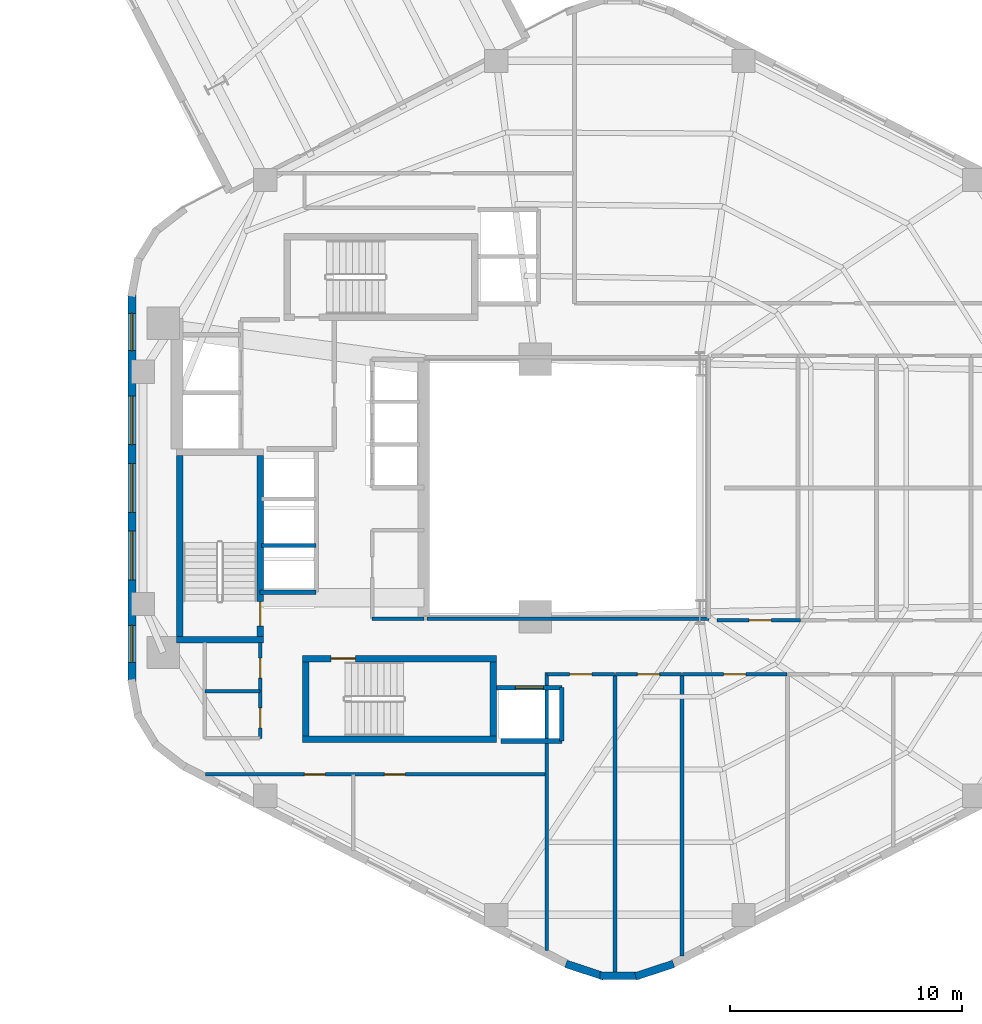
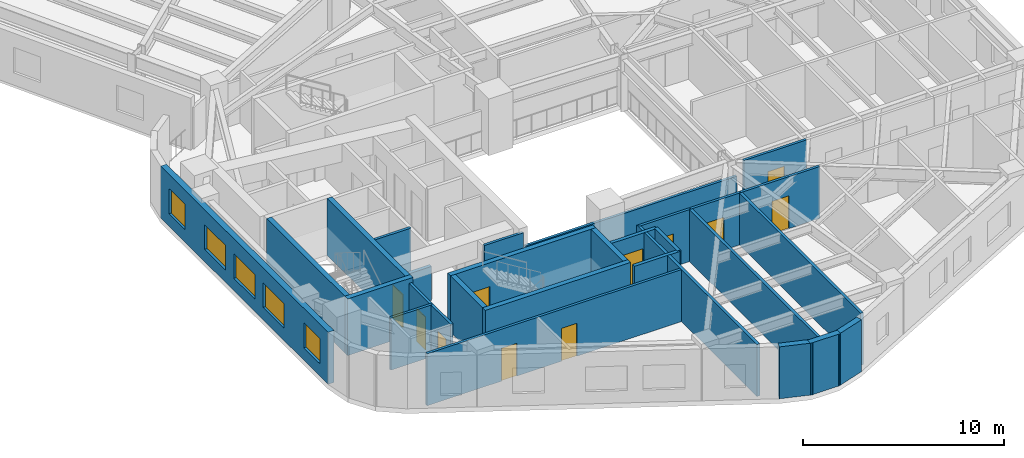
# One storey, part 6 of 11: 28 walls, 11 doors, 5 windows, 16 openings.
"""IFC4 building model written with IfcOpenShell, lengths in metres."""

from ifc_helpers import new_model, si_unit, direction, frame, frame_2d, origin, place, context, subcontext, project, spatial, rectangle, extrude, material, layer, layer_set, type_object, element, fill, save


model = new_model("IFC4")

# Units and contexts
model_context = context("Model", 3, precision=1e-05, world=origin(), true_north=direction((0.0, 1.0)))
body_context = subcontext(model_context, "Body", "Model", "MODEL_VIEW")
ifc_project = project(units=[si_unit("LENGTHUNIT", "METRE"), si_unit("AREAUNIT", "SQUARE_METRE"), si_unit("VOLUMEUNIT", "CUBIC_METRE"), si_unit("PLANEANGLEUNIT", "RADIAN"), si_unit("MASSUNIT", "GRAM", prefix="KILO"), si_unit("THERMODYNAMICTEMPERATUREUNIT", "KELVIN"), si_unit("POWERUNIT", "WATT")], contexts=[model_context])

# Site, building, storey
site_placement = place(None, origin())
site = spatial("IfcSite", under=ifc_project, at=site_placement, CompositionType="ELEMENT")
building_placement = place(site_placement, origin())
building = spatial("IfcBuilding", under=site, at=building_placement, Name="Skarre Station Tower", CompositionType="ELEMENT")
storey_placement = place(building_placement, frame((0.0, 0.0, 139.5)))
storey = spatial("IfcBuildingStorey", under=building, at=storey_placement, Name="L37", CompositionType="ELEMENT", Elevation=139.5)

# Walls
ifc_material_1 = material(Name="Acoustic Steel-Stud Gypsum Partition", Category="steel")
ifc_layer_1 = layer(ifc_material_1, 0.14990234375, Name="Acoustic Steel-Stud Gypsum Partition")
ifc_layer_set_1 = layer_set([ifc_layer_1], Name="Acoustic Steel-Stud Gypsum Partition")
wall_type_1 = type_object("IfcWallType", Name="Fire-Rated Corridor Acoustic Partition 150", PredefinedType="PARTITIONING", material=ifc_layer_set_1)
wall_1_placement = place(storey_placement, frame((25.320068359375, 18.360107421875, 0.0), z_axis=(0.0, 0.0, 1.0), x_axis=(1.0, 0.0, 0.0)))
element("IfcWall", 1, at=wall_1_placement, inside=storey, type_object=wall_type_1, Name="L37 Interior Partition WL-PT-L37-RC1-S", PredefinedType="PARTITIONING", context=body_context, shape_type="SweptSolid", body=[
    extrude(rectangle(XDim=2.22998046875, YDim=0.14990234375, at=frame_2d((1.114990234375, 0.0))), origin(), (0.0, 0.0, 1.0), 3.159912109375),
])
wall_2_placement = place(storey_placement, frame((18.10009765625, 15.219970703125, 0.0), z_axis=(0.0, 0.0, 1.0), x_axis=(1.0, 0.0, 0.0)))
element("IfcWall", 2, at=wall_2_placement, inside=storey, type_object=wall_type_1, Name="L37 Interior Partition WL-PT-L37-CSVC-M", PredefinedType="PARTITIONING", context=body_context, shape_type="SweptSolid", body=[
    extrude(rectangle(XDim=2.389892578125, YDim=0.14990234375, at=frame_2d((1.19482421875, 0.0))), origin(), (0.0, 0.0, 1.0), 3.159912109375),
])

# Wall, openings, doors
wall_3_placement = place(storey_placement, frame((20.489990234375, 13.199951171875, 0.0), z_axis=(0.0, 0.0, 1.0), x_axis=(0.0, 1.0, 0.0)))
wall_3 = element("IfcWall", 3, at=wall_3_placement, inside=storey, type_object=wall_type_1, Name="L37 Interior Partition WL-PT-L37-CSVC-E", PredefinedType="PARTITIONING", context=body_context, shape_type="SweptSolid", body=[
    extrude(rectangle(XDim=4.14013671875, YDim=0.14990234375, at=frame_2d((2.070068359375, 0.0))), origin(), (0.0, 0.0, 1.0), 3.159912109375),
])
opening_1_placement = place(wall_3_placement, frame((0.449951171875, 0.0, 0.0)))
opening_1 = element("IfcOpeningElement", 4, at=opening_1_placement, cuts=wall_3, Name="Opening DR-SVC86", PredefinedType="OPENING", context=body_context, shape_type="SweptSolid", body=[
    extrude(rectangle(XDim=0.860107421875, YDim=2.0, at=frame_2d((0.43017578125, 1.0))), frame((0.0, 0.0849609375, 0.0), z_axis=(0.0, -1.0, 0.0), x_axis=(1.0, 0.0, 0.0)), (0.0, 0.0, 1.0), 0.169921875),
])
opening_2_placement = place(wall_3_placement, frame((2.60009765625, 0.0, 0.0)))
opening_2 = element("IfcOpeningElement", 5, at=opening_2_placement, cuts=wall_3, Name="Opening DR-SVC86", PredefinedType="OPENING", context=body_context, shape_type="SweptSolid", body=[
    extrude(rectangle(XDim=0.860107421875, YDim=2.0, at=frame_2d((0.43017578125, 1.0))), frame((0.0, 0.0849609375, 0.0), z_axis=(0.0, -1.0, 0.0), x_axis=(1.0, 0.0, 0.0)), (0.0, 0.0, 1.0), 0.169921875),
])
ifc_material_2 = material(Name="Powder-Coated Hollow-Metal Acoustic Fire Leaf", Category="steel")
door_type_1 = type_object("IfcDoorType", Name="Compact Riser Fire Door FD60 860x2100", OperationType="SINGLE_SWING_LEFT", PredefinedType="DOOR", material=ifc_material_2)
door_1_placement = place(opening_1_placement, origin())
door_1 = element("IfcDoor", 6, at=door_1_placement, inside=storey, type_object=door_type_1, Name="L37 Vending Room Door", OperationType="SINGLE_SWING_LEFT", OverallHeight=2.0, OverallWidth=0.860107421875, PredefinedType="DOOR", context=body_context, shape_type="SweptSolid", body=[
    extrude(rectangle(XDim=0.860107421875, YDim=2.0, at=frame_2d((0.43017578125, 1.0))), frame((0.0, 0.02490234375, 0.0), z_axis=(0.0, -1.0, 0.0), x_axis=(1.0, 0.0, 0.0)), (0.0, 0.0, 1.0), 0.050048828125),
])
fill(opening_1, door_1)
door_2_placement = place(opening_2_placement, origin())
door_2 = element("IfcDoor", 7, at=door_2_placement, inside=storey, type_object=door_type_1, Name="L37 Linen Storage Door", OperationType="SINGLE_SWING_LEFT", OverallHeight=2.0, OverallWidth=0.860107421875, PredefinedType="DOOR", context=body_context, shape_type="SweptSolid", body=[
    extrude(rectangle(XDim=0.860107421875, YDim=2.0, at=frame_2d((0.43017578125, 1.0))), frame((0.0, 0.02490234375, 0.0), z_axis=(0.0, -1.0, 0.0), x_axis=(1.0, 0.0, 0.0)), (0.0, 0.0, 1.0), 0.050048828125),
])
fill(opening_2, door_2)

# Wall
wall_4_placement = place(storey_placement, frame((27.675048828125, 18.360107421875, 0.0), z_axis=(0.0, 0.0, 1.0), x_axis=(1.0, 0.0, 0.0)))
element("IfcWall", 8, at=wall_4_placement, inside=storey, type_object=wall_type_1, Name="L37 Interior Partition WL-PT-L37-ATRW-S", PredefinedType="PARTITIONING", context=body_context, shape_type="SweptSolid", body=[
    extrude(rectangle(XDim=12.1650390625, YDim=0.14990234375, at=frame_2d((6.08251953125, 0.0))), origin(), (0.0, 0.0, 1.0), 2.301025390625),
])

# Wall, openings, doors
wall_5_placement = place(storey_placement, frame((18.1259765625, 11.639892578125, 0.0), z_axis=(0.0, 0.0, 1.0), x_axis=(1.0, 0.0, 0.0)))
wall_5 = element("IfcWall", 9, at=wall_5_placement, inside=storey, type_object=wall_type_1, Name="L37 Interior Partition WL-PT-L37-SWP-N", PredefinedType="PARTITIONING", context=body_context, shape_type="SweptSolid", body=[
    extrude(rectangle(XDim=14.72412109375, YDim=0.14990234375, at=frame_2d((7.362060546875, 0.0))), origin(), (0.0, 0.0, 1.0), 3.159912109375),
])
opening_3_placement = place(wall_5_placement, frame((4.27392578125, 0.0, 0.0)))
opening_3 = element("IfcOpeningElement", 10, at=opening_3_placement, cuts=wall_5, Name="Opening DR-SVC90", PredefinedType="OPENING", context=body_context, shape_type="SweptSolid", body=[
    extrude(rectangle(XDim=0.89990234375, YDim=2.0, at=frame_2d((0.449951171875, 1.0))), frame((0.0, 0.0849609375, 0.0), z_axis=(0.0, -1.0, 0.0), x_axis=(1.0, 0.0, 0.0)), (0.0, 0.0, 1.0), 0.169921875),
])
opening_4_placement = place(wall_5_placement, frame((7.72412109375, 0.0, 0.0)))
opening_4 = element("IfcOpeningElement", 11, at=opening_4_placement, cuts=wall_5, Name="Opening DR-SVC90", PredefinedType="OPENING", context=body_context, shape_type="SweptSolid", body=[
    extrude(rectangle(XDim=0.89990234375, YDim=2.0, at=frame_2d((0.449951171875, 1.0))), frame((0.0, 0.0849609375, 0.0), z_axis=(0.0, -1.0, 0.0), x_axis=(1.0, 0.0, 0.0)), (0.0, 0.0, 1.0), 0.169921875),
])
door_type_2 = type_object("IfcDoorType", Name="Service & Riser Fire Door FD60 900x2100", OperationType="SINGLE_SWING_LEFT", PredefinedType="DOOR", material=ifc_material_2)
door_3_placement = place(opening_3_placement, origin())
door_3 = element("IfcDoor", 12, at=door_3_placement, inside=storey, type_object=door_type_2, Name="L37 Floor Public Toilets Door", OperationType="SINGLE_SWING_LEFT", OverallHeight=2.0, OverallWidth=0.89990234375, PredefinedType="DOOR", context=body_context, shape_type="SweptSolid", body=[
    extrude(rectangle(XDim=0.89990234375, YDim=2.0, at=frame_2d((0.449951171875, 1.0))), frame((0.0, 0.02490234375, 0.0), z_axis=(0.0, -1.0, 0.0), x_axis=(1.0, 0.0, 0.0)), (0.0, 0.0, 1.0), 0.050048828125),
])
fill(opening_3, door_3)
door_4_placement = place(opening_4_placement, origin())
door_4 = element("IfcDoor", 13, at=door_4_placement, inside=storey, type_object=door_type_2, Name="L37 Housekeeping Room Door", OperationType="SINGLE_SWING_LEFT", OverallHeight=2.0, OverallWidth=0.89990234375, PredefinedType="DOOR", context=body_context, shape_type="SweptSolid", body=[
    extrude(rectangle(XDim=0.89990234375, YDim=2.0, at=frame_2d((0.449951171875, 1.0))), frame((0.0, 0.02490234375, 0.0), z_axis=(0.0, -1.0, 0.0), x_axis=(1.0, 0.0, 0.0)), (0.0, 0.0, 1.0), 0.050048828125),
])
fill(opening_4, door_4)

# Wall, opening, door
wall_6_placement = place(storey_placement, frame((43.802978515625, 18.2900390625, 0.0), z_axis=(0.0, 0.0, 1.0), x_axis=(-1.0, 0.0, 0.0)))
wall_6 = element("IfcWall", 14, at=wall_6_placement, inside=storey, type_object=wall_type_1, Name="L37 Interior Partition WL-PT-L37-EWS1-CW", PredefinedType="PARTITIONING", context=body_context, shape_type="SweptSolid", body=[
    extrude(rectangle(XDim=3.60302734375, YDim=0.14990234375, at=frame_2d((1.801513671875, 0.0))), origin(), (0.0, 0.0, 1.0), 3.159912109375),
])
opening_5_placement = place(wall_6_placement, frame((1.263916015625, 0.0, 0.0)))
opening_5 = element("IfcOpeningElement", 15, at=opening_5_placement, cuts=wall_6, Name="Opening DR-FD60", PredefinedType="OPENING", context=body_context, shape_type="SweptSolid", body=[
    extrude(rectangle(XDim=0.9599609375, YDim=2.0, at=frame_2d((0.47998046875, 1.0))), frame((0.0, 0.0849609375, 0.0), z_axis=(0.0, -1.0, 0.0), x_axis=(1.0, 0.0, 0.0)), (0.0, 0.0, 1.0), 0.169921875),
])
ifc_material_3 = material(Name="Nordic White-Oak Veneer Solid-Core Fire Leaf", Category="wood")
door_type_3 = type_object("IfcDoorType", Name="Corridor Suite Entry Fire Door FD60 960x2150", OperationType="SINGLE_SWING_LEFT", PredefinedType="DOOR", material=ifc_material_3)
door_5_placement = place(opening_5_placement, origin())
door_5 = element("IfcDoor", 16, at=door_5_placement, inside=storey, type_object=door_type_3, Name="L37 EWS1 Entry Door", OperationType="SINGLE_SWING_LEFT", OverallHeight=2.0, OverallWidth=0.9599609375, PredefinedType="DOOR", context=body_context, shape_type="SweptSolid", body=[
    extrude(rectangle(XDim=0.9599609375, YDim=2.0, at=frame_2d((0.47998046875, 1.0))), frame((0.0, 0.02490234375, 0.0), z_axis=(0.0, -1.0, 0.0), x_axis=(1.0, 0.0, 0.0)), (0.0, 0.0, 1.0), 0.050048828125),
])
fill(opening_5, door_5)

wall_7_placement = place(storey_placement, frame((32.85009765625, 15.9599609375, 0.0), z_axis=(0.0, 0.0, 1.0), x_axis=(1.0, 0.0, 0.0)))
wall_7 = element("IfcWall", 17, at=wall_7_placement, inside=storey, type_object=wall_type_1, Name="L37 Interior Partition WL-PT-L37-SW1-CW", PredefinedType="PARTITIONING", context=body_context, shape_type="SweptSolid", body=[
    extrude(rectangle(XDim=2.931884765625, YDim=0.14990234375, at=frame_2d((1.4658203125, 0.0))), origin(), (0.0, 0.0, 1.0), 3.159912109375),
])
opening_6_placement = place(wall_7_placement, frame((0.986083984375, 0.0, 0.0)))
opening_6 = element("IfcOpeningElement", 18, at=opening_6_placement, cuts=wall_7, Name="Opening DR-FD60", PredefinedType="OPENING", context=body_context, shape_type="SweptSolid", body=[
    extrude(rectangle(XDim=0.9599609375, YDim=2.0, at=frame_2d((0.47998046875, 1.0))), frame((0.0, 0.0849609375, 0.0), z_axis=(0.0, -1.0, 0.0), x_axis=(1.0, 0.0, 0.0)), (0.0, 0.0, 1.0), 0.169921875),
])
door_6_placement = place(opening_6_placement, origin())
door_6 = element("IfcDoor", 19, at=door_6_placement, inside=storey, type_object=door_type_3, Name="L37 SW1 Entry Door", OperationType="SINGLE_SWING_LEFT", OverallHeight=2.0, OverallWidth=0.9599609375, PredefinedType="DOOR", context=body_context, shape_type="SweptSolid", body=[
    extrude(rectangle(XDim=0.9599609375, YDim=2.0, at=frame_2d((0.47998046875, 1.0))), frame((0.0, 0.02490234375, 0.0), z_axis=(0.0, -1.0, 0.0), x_axis=(1.0, 0.0, 0.0)), (0.0, 0.0, 1.0), 0.050048828125),
])
fill(opening_6, door_6)

wall_8_placement = place(storey_placement, frame((35.818115234375, 15.9599609375, 0.0), z_axis=(0.0, 0.0, 1.0), x_axis=(1.0, 0.0, 0.0)))
wall_8 = element("IfcWall", 20, at=wall_8_placement, inside=storey, type_object=wall_type_1, Name="L37 Interior Partition WL-PT-L37-SW2-CW", PredefinedType="PARTITIONING", context=body_context, shape_type="SweptSolid", body=[
    extrude(rectangle(XDim=2.843994140625, YDim=0.14990234375, at=frame_2d((1.421875, 0.0))), origin(), (0.0, 0.0, 1.0), 3.159912109375),
])
opening_7_placement = place(wall_8_placement, frame((0.94189453125, 0.0, 0.0)))
opening_7 = element("IfcOpeningElement", 21, at=opening_7_placement, cuts=wall_8, Name="Opening DR-FD60", PredefinedType="OPENING", context=body_context, shape_type="SweptSolid", body=[
    extrude(rectangle(XDim=0.9599609375, YDim=2.0, at=frame_2d((0.47998046875, 1.0))), frame((0.0, 0.0849609375, 0.0), z_axis=(0.0, -1.0, 0.0), x_axis=(1.0, 0.0, 0.0)), (0.0, 0.0, 1.0), 0.169921875),
])
door_7_placement = place(opening_7_placement, origin())
door_7 = element("IfcDoor", 22, at=door_7_placement, inside=storey, type_object=door_type_3, Name="L37 SW2 Entry Door", OperationType="SINGLE_SWING_LEFT", OverallHeight=2.0, OverallWidth=0.9599609375, PredefinedType="DOOR", context=body_context, shape_type="SweptSolid", body=[
    extrude(rectangle(XDim=0.9599609375, YDim=2.0, at=frame_2d((0.47998046875, 1.0))), frame((0.0, 0.02490234375, 0.0), z_axis=(0.0, -1.0, 0.0), x_axis=(1.0, 0.0, 0.0)), (0.0, 0.0, 1.0), 0.050048828125),
])
fill(opening_7, door_7)

wall_9_placement = place(storey_placement, frame((38.697998046875, 15.9599609375, 0.0), z_axis=(0.0, 0.0, 1.0), x_axis=(1.0, 0.0, 0.0)))
wall_9 = element("IfcWall", 23, at=wall_9_placement, inside=storey, type_object=wall_type_1, Name="L37 Interior Partition WL-PT-L37-SW3-CW", PredefinedType="PARTITIONING", context=body_context, shape_type="SweptSolid", body=[
    extrude(rectangle(XDim=4.52294921875, YDim=0.14990234375, at=frame_2d((2.261474609375, 0.0))), origin(), (0.0, 0.0, 1.0), 3.159912109375),
])
opening_8_placement = place(wall_9_placement, frame((1.781982421875, 0.0, 0.0)))
opening_8 = element("IfcOpeningElement", 24, at=opening_8_placement, cuts=wall_9, Name="Opening DR-FD60", PredefinedType="OPENING", context=body_context, shape_type="SweptSolid", body=[
    extrude(rectangle(XDim=0.9599609375, YDim=2.0, at=frame_2d((0.47998046875, 1.0))), frame((0.0, 0.0849609375, 0.0), z_axis=(0.0, -1.0, 0.0), x_axis=(1.0, 0.0, 0.0)), (0.0, 0.0, 1.0), 0.169921875),
])
door_8_placement = place(opening_8_placement, origin())
door_8 = element("IfcDoor", 25, at=door_8_placement, inside=storey, type_object=door_type_3, Name="L37 SW3 Entry Door", OperationType="SINGLE_SWING_LEFT", OverallHeight=2.0, OverallWidth=0.9599609375, PredefinedType="DOOR", context=body_context, shape_type="SweptSolid", body=[
    extrude(rectangle(XDim=0.9599609375, YDim=2.0, at=frame_2d((0.47998046875, 1.0))), frame((0.0, 0.02490234375, 0.0), z_axis=(0.0, -1.0, 0.0), x_axis=(1.0, 0.0, 0.0)), (0.0, 0.0, 1.0), 0.050048828125),
])
fill(opening_8, door_8)

# Wall, openings, windows
ifc_material_4 = material(Name="Precast concrete C45/55", Category="concrete")
ifc_layer_2 = layer(ifc_material_4, 0.340087890625, Name="Precast concrete C45/55")
ifc_layer_set_2 = layer_set([ifc_layer_2], Name="Precast concrete C45/55")
wall_type_2 = type_object("IfcWallType", Name="Nordic Honed Precast Facet Wall 340", PredefinedType="STANDARD", material=ifc_layer_set_2)
wall_10_placement = place(storey_placement, frame((14.951904296875, 15.64794921875, 0.0), z_axis=(0.0, 0.0, 1.0), x_axis=(0.0, 1.0, 0.0)))
wall_10 = element("IfcWall", 26, at=wall_10_placement, inside=storey, type_object=wall_type_2, Name="L37 Facet 2 Nordic Precast Masonry Wall", PredefinedType="STANDARD", context=body_context, shape_type="SweptSolid", body=[
    extrude(rectangle(XDim=16.7041015625, YDim=0.340087890625, at=frame_2d((8.35205078125, 0.0))), origin(), (0.0, 0.0, 1.0), 3.159912109375),
])
opening_9_placement = place(wall_10_placement, frame((0.825927734375, 0.0, 0.75)))
opening_9 = element("IfcOpeningElement", 27, at=opening_9_placement, cuts=wall_10, Name="Opening WN-Z2A", PredefinedType="OPENING", context=body_context, shape_type="SweptSolid", body=[
    extrude(rectangle(XDim=1.60009765625, YDim=1.550048828125, at=frame_2d((0.800048828125, 0.77490234375))), frame((0.0, 0.179931640625, 0.0), z_axis=(0.0, -1.0, 0.0), x_axis=(1.0, 0.0, 0.0)), (0.0, 0.0, 1.0), 0.360107421875),
])
opening_10_placement = place(wall_10_placement, frame((4.387939453125, 0.0, 0.75)))
opening_10 = element("IfcOpeningElement", 28, at=opening_10_placement, cuts=wall_10, Name="Opening WN-Z2B", PredefinedType="OPENING", context=body_context, shape_type="SweptSolid", body=[
    extrude(rectangle(XDim=2.10009765625, YDim=1.5, at=frame_2d((1.050048828125, 0.75))), frame((0.0, 0.179931640625, 0.0), z_axis=(0.0, -1.0, 0.0), x_axis=(1.0, 0.0, 0.0)), (0.0, 0.0, 1.0), 0.360107421875),
])
opening_11_placement = place(wall_10_placement, frame((7.302001953125, 0.0, 0.75)))
opening_11 = element("IfcOpeningElement", 29, at=opening_11_placement, cuts=wall_10, Name="Opening WN-Z2B", PredefinedType="OPENING", context=body_context, shape_type="SweptSolid", body=[
    extrude(rectangle(XDim=2.10009765625, YDim=1.5, at=frame_2d((1.050048828125, 0.75))), frame((0.0, 0.179931640625, 0.0), z_axis=(0.0, -1.0, 0.0), x_axis=(1.0, 0.0, 0.0)), (0.0, 0.0, 1.0), 0.360107421875),
])
opening_12_placement = place(wall_10_placement, frame((10.216064453125, 0.0, 0.75)))
opening_12 = element("IfcOpeningElement", 30, at=opening_12_placement, cuts=wall_10, Name="Opening WN-Z2B", PredefinedType="OPENING", context=body_context, shape_type="SweptSolid", body=[
    extrude(rectangle(XDim=2.10009765625, YDim=1.5, at=frame_2d((1.050048828125, 0.75))), frame((0.0, 0.179931640625, 0.0), z_axis=(0.0, -1.0, 0.0), x_axis=(1.0, 0.0, 0.0)), (0.0, 0.0, 1.0), 0.360107421875),
])
opening_13_placement = place(wall_10_placement, frame((14.278076171875, 0.0, 0.75)))
opening_13 = element("IfcOpeningElement", 31, at=opening_13_placement, cuts=wall_10, Name="Opening WN-Z2A", PredefinedType="OPENING", context=body_context, shape_type="SweptSolid", body=[
    extrude(rectangle(XDim=1.60009765625, YDim=1.550048828125, at=frame_2d((0.800048828125, 0.77490234375))), frame((0.0, 0.179931640625, 0.0), z_axis=(0.0, -1.0, 0.0), x_axis=(1.0, 0.0, 0.0)), (0.0, 0.0, 1.0), 0.360107421875),
])
ifc_material_5 = material(Name="Low-Iron Triple Glazing with Bronze Anodized Frame", Category="glass")
window_type_1 = type_object("IfcWindowType", Name="Nordic Residential Tall Window 1600x1550", PartitioningType="SINGLE_PANEL", PredefinedType="WINDOW", material=ifc_material_5)
window_1_placement = place(opening_9_placement, origin())
window_1 = element("IfcWindow", 32, at=window_1_placement, inside=storey, type_object=window_type_1, Name="L37 Facade Window WL-FAC-L37-F2-1", OverallHeight=1.550048828125, OverallWidth=1.60009765625, PartitioningType="SINGLE_PANEL", PredefinedType="WINDOW", context=body_context, shape_type="SweptSolid", body=[
    extrude(rectangle(XDim=1.60009765625, YDim=1.550048828125, at=frame_2d((0.800048828125, 0.77490234375))), frame((0.0, 0.030029296875, 0.0), z_axis=(0.0, -1.0, 0.0), x_axis=(1.0, 0.0, 0.0)), (0.0, 0.0, 1.0), 0.06005859375),
])
fill(opening_9, window_1)
window_2_placement = place(opening_13_placement, origin())
window_2 = element("IfcWindow", 33, at=window_2_placement, inside=storey, type_object=window_type_1, Name="L37 Facade Window WL-FAC-L37-F2-5", OverallHeight=1.550048828125, OverallWidth=1.60009765625, PartitioningType="SINGLE_PANEL", PredefinedType="WINDOW", context=body_context, shape_type="SweptSolid", body=[
    extrude(rectangle(XDim=1.60009765625, YDim=1.550048828125, at=frame_2d((0.800048828125, 0.77490234375))), frame((0.0, 0.030029296875, 0.0), z_axis=(0.0, -1.0, 0.0), x_axis=(1.0, 0.0, 0.0)), (0.0, 0.0, 1.0), 0.06005859375),
])
fill(opening_13, window_2)
window_type_2 = type_object("IfcWindowType", Name="Nordic Residential Twin Window 2100x1500", PartitioningType="SINGLE_PANEL", PredefinedType="WINDOW", material=ifc_material_5)
window_3_placement = place(opening_10_placement, origin())
window_3 = element("IfcWindow", 34, at=window_3_placement, inside=storey, type_object=window_type_2, Name="L37 Facade Window WL-FAC-L37-F2-2", OverallHeight=1.5, OverallWidth=2.10009765625, PartitioningType="SINGLE_PANEL", PredefinedType="WINDOW", context=body_context, shape_type="SweptSolid", body=[
    extrude(rectangle(XDim=2.10009765625, YDim=1.5, at=frame_2d((1.050048828125, 0.75))), frame((0.0, 0.030029296875, 0.0), z_axis=(0.0, -1.0, 0.0), x_axis=(1.0, 0.0, 0.0)), (0.0, 0.0, 1.0), 0.06005859375),
])
fill(opening_10, window_3)
window_4_placement = place(opening_11_placement, origin())
window_4 = element("IfcWindow", 35, at=window_4_placement, inside=storey, type_object=window_type_2, Name="L37 Facade Window WL-FAC-L37-F2-3", OverallHeight=1.5, OverallWidth=2.10009765625, PartitioningType="SINGLE_PANEL", PredefinedType="WINDOW", context=body_context, shape_type="SweptSolid", body=[
    extrude(rectangle(XDim=2.10009765625, YDim=1.5, at=frame_2d((1.050048828125, 0.75))), frame((0.0, 0.030029296875, 0.0), z_axis=(0.0, -1.0, 0.0), x_axis=(1.0, 0.0, 0.0)), (0.0, 0.0, 1.0), 0.06005859375),
])
fill(opening_11, window_4)
window_5_placement = place(opening_12_placement, origin())
window_5 = element("IfcWindow", 36, at=window_5_placement, inside=storey, type_object=window_type_2, Name="L37 Facade Window WL-FAC-L37-F2-4", OverallHeight=1.5, OverallWidth=2.10009765625, PartitioningType="SINGLE_PANEL", PredefinedType="WINDOW", context=body_context, shape_type="SweptSolid", body=[
    extrude(rectangle(XDim=2.10009765625, YDim=1.5, at=frame_2d((1.050048828125, 0.75))), frame((0.0, 0.030029296875, 0.0), z_axis=(0.0, -1.0, 0.0), x_axis=(1.0, 0.0, 0.0)), (0.0, 0.0, 1.0), 0.06005859375),
])
fill(opening_12, window_5)

# Walls
ifc_layer_3 = layer(ifc_material_4, 0.330078125, Name="Precast concrete C45/55")
ifc_layer_set_3 = layer_set([ifc_layer_3], Name="Precast concrete C45/55")
wall_type_3 = type_object("IfcWallType", Name="Nordic Rounded Corner Precast Wall 330", PredefinedType="STANDARD", material=ifc_layer_set_3)
for number, where, z_axis, x_axis, name in (
    (37, (38.319091796875, 3.468017578125, 0.0), (0.0, 0.0, 1.0), (-0.949937416267, -0.312440242569, 0.0), "L37 Rounded Corner Precast Wall F4-1"),
    (38, (36.861083984375, 2.958984375, 0.0), (0.0, 0.0, 1.0), (-1.0, 0.0, 0.0), "L37 Rounded Corner Precast Wall F4-2"),
    (39, (35.31689453125, 2.929931640625, 0.0), (0.0, 0.0, 1.0), (-0.949937416267, 0.312440242569, 0.0), "L37 Rounded Corner Precast Wall F4-3"),
):
    element("IfcWall", number, at=place(storey_placement, frame(where, z_axis=z_axis, x_axis=x_axis)), inside=storey, type_object=wall_type_3, Name=name, PredefinedType="STANDARD", context=body_context, shape_type="SweptSolid", body=[
        extrude(rectangle(XDim=1.72216796875, YDim=0.330078125, at=frame_2d((0.861083984375, 0.0))), origin(), (0.0, 0.0, 1.0), 3.159912109375),
    ])
ifc_material_6 = material(Name="Concrete C50/60", Category="concrete")
ifc_layer_4 = layer(ifc_material_6, 0.280029296875, Name="Concrete C50/60")
ifc_layer_set_4 = layer_set([ifc_layer_4], Name="Concrete C50/60")
wall_type_4 = type_object("IfcWallType", Name="RC Core Shear Wall 280", PredefinedType="SHEAR", material=ifc_layer_set_4)
wall_11_placement = place(storey_placement, frame((16.8701171875, 17.4599609375, 0.0), z_axis=(0.0, 0.0, 1.0), x_axis=(1.0, 0.0, 0.0)))
element("IfcWall", 40, at=wall_11_placement, inside=storey, type_object=wall_type_4, Name="L37 Stair ST-1 South Shear Wall", PredefinedType="SHEAR", context=body_context, shape_type="SweptSolid", body=[
    extrude(rectangle(XDim=3.759765625, YDim=0.280029296875, at=frame_2d((1.8798828125, 0.0))), origin(), (0.0, 0.0, 1.0), 3.449951171875),
])
wall_12_placement = place(storey_placement, frame((17.010009765625, 25.39990234375, 0.0), z_axis=(0.0, 0.0, 1.0), x_axis=(0.0, -1.0, 0.0)))
element("IfcWall", 41, at=wall_12_placement, inside=storey, type_object=wall_type_4, Name="L37 Stair ST-1 West Shear Wall", PredefinedType="SHEAR", context=body_context, shape_type="SweptSolid", body=[
    extrude(rectangle(XDim=7.7998046875, YDim=0.280029296875, at=frame_2d((3.89990234375, 0.0))), origin(), (0.0, 0.0, 1.0), 3.449951171875),
])

# Wall, opening, door
wall_13_placement = place(storey_placement, frame((20.489990234375, 17.60009765625, 0.0), z_axis=(0.0, 0.0, 1.0), x_axis=(0.0, 1.0, 0.0)))
wall_13 = element("IfcWall", 42, at=wall_13_placement, inside=storey, type_object=wall_type_4, Name="L37 Stair ST-1 East Shear Wall", PredefinedType="SHEAR", context=body_context, shape_type="SweptSolid", body=[
    extrude(rectangle(XDim=7.7998046875, YDim=0.280029296875, at=frame_2d((3.89990234375, 0.0))), origin(), (0.0, 0.0, 1.0), 3.449951171875),
])
opening_14_placement = place(wall_13_placement, frame((0.43994140625, 0.0, 0.0)))
opening_14 = element("IfcOpeningElement", 43, at=opening_14_placement, cuts=wall_13, Name="Opening DR-FD90", PredefinedType="OPENING", context=body_context, shape_type="SweptSolid", body=[
    extrude(rectangle(XDim=1.050048828125, YDim=2.0, at=frame_2d((0.52490234375, 1.0))), frame((0.0, 0.14990234375, 0.0), z_axis=(0.0, -1.0, 0.0), x_axis=(1.0, 0.0, 0.0)), (0.0, 0.0, 1.0), 0.300048828125),
])
ifc_material_7 = material(Name="Fire-Rated Insulated Steel Frame & Timber Core Leaf", Category="steel")
door_type_4 = type_object("IfcDoorType", Name="Stair & FSAE Lobby Fire Door FD90 1050x2150", OperationType="SINGLE_SWING_RIGHT", PredefinedType="DOOR", material=ifc_material_7)
door_9_placement = place(opening_14_placement, origin())
door_9 = element("IfcDoor", 44, at=door_9_placement, inside=storey, type_object=door_type_4, Name="L37 Stair ST-1 Exit Door", OperationType="SINGLE_SWING_RIGHT", OverallHeight=2.0, OverallWidth=1.050048828125, PredefinedType="DOOR", context=body_context, shape_type="SweptSolid", body=[
    extrude(rectangle(XDim=1.050048828125, YDim=2.0, at=frame_2d((0.52490234375, 1.0))), frame((0.0, 0.02490234375, 0.0), z_axis=(0.0, -1.0, 0.0), x_axis=(1.0, 0.0, 0.0)), (0.0, 0.0, 1.0), 0.050048828125),
])
fill(opening_14, door_9)

# Wall
wall_14_placement = place(storey_placement, frame((22.320068359375, 13.159912109375, 0.0), z_axis=(0.0, 0.0, 1.0), x_axis=(1.0, 0.0, 0.0)))
element("IfcWall", 45, at=wall_14_placement, inside=storey, type_object=wall_type_4, Name="L37 Stair ST-2 South Shear Wall", PredefinedType="SHEAR", context=body_context, shape_type="SweptSolid", body=[
    extrude(rectangle(XDim=8.35986328125, YDim=0.280029296875, at=frame_2d((4.179931640625, 0.0))), origin(), (0.0, 0.0, 1.0), 3.449951171875),
])

# Wall, opening, door
wall_15_placement = place(storey_placement, frame((30.679931640625, 16.639892578125, 0.0), z_axis=(0.0, 0.0, 1.0), x_axis=(-1.0, 0.0, 0.0)))
wall_15 = element("IfcWall", 46, at=wall_15_placement, inside=storey, type_object=wall_type_4, Name="L37 Stair ST-2 North Shear Wall", PredefinedType="SHEAR", context=body_context, shape_type="SweptSolid", body=[
    extrude(rectangle(XDim=8.35986328125, YDim=0.280029296875, at=frame_2d((4.179931640625, 0.0))), origin(), (0.0, 0.0, 1.0), 3.449951171875),
])
opening_15_placement = place(wall_15_placement, frame((6.080078125, 0.0, 0.0)))
opening_15 = element("IfcOpeningElement", 47, at=opening_15_placement, cuts=wall_15, Name="Opening DR-FD90", PredefinedType="OPENING", context=body_context, shape_type="SweptSolid", body=[
    extrude(rectangle(XDim=1.050048828125, YDim=2.0, at=frame_2d((0.52490234375, 1.0))), frame((0.0, 0.14990234375, 0.0), z_axis=(0.0, -1.0, 0.0), x_axis=(1.0, 0.0, 0.0)), (0.0, 0.0, 1.0), 0.300048828125),
])
door_10_placement = place(opening_15_placement, origin())
door_10 = element("IfcDoor", 48, at=door_10_placement, inside=storey, type_object=door_type_4, Name="L37 Stair ST-2 Exit Door", OperationType="SINGLE_SWING_RIGHT", OverallHeight=2.0, OverallWidth=1.050048828125, PredefinedType="DOOR", context=body_context, shape_type="SweptSolid", body=[
    extrude(rectangle(XDim=1.050048828125, YDim=2.0, at=frame_2d((0.52490234375, 1.0))), frame((0.0, 0.02490234375, 0.0), z_axis=(0.0, -1.0, 0.0), x_axis=(1.0, 0.0, 0.0)), (0.0, 0.0, 1.0), 0.050048828125),
])
fill(opening_15, door_10)

# Walls
for number, where, z_axis, x_axis, name in (
    (49, (22.4599609375, 16.5, 0.0), (0.0, 0.0, 1.0), (0.0, -1.0, 0.0), "L37 Stair ST-2 West Shear Wall"),
    (50, (30.5400390625, 13.300048828125, 0.0), (0.0, 0.0, 1.0), (0.0, 1.0, 0.0), "L37 Stair ST-2 East Shear Wall"),
):
    element("IfcWall", number, at=place(storey_placement, frame(where, z_axis=z_axis, x_axis=x_axis)), inside=storey, type_object=wall_type_4, Name=name, PredefinedType="SHEAR", context=body_context, shape_type="SweptSolid", body=[
        extrude(rectangle(XDim=3.199951171875, YDim=0.280029296875, at=frame_2d((1.60009765625, 0.0))), origin(), (0.0, 0.0, 1.0), 3.449951171875),
    ])

# Wall, opening, door
ifc_material_8 = material(Name="Gypsum Concrete Shaft Assembly C30/37", Category="concrete")
ifc_layer_5 = layer(ifc_material_8, 0.199951171875, Name="Gypsum Concrete Shaft Assembly C30/37")
ifc_layer_set_5 = layer_set([ifc_layer_5], Name="Gypsum Concrete Shaft Assembly C30/37")
wall_type_5 = type_object("IfcWallType", Name="Shaft & Core Fire Partition 200", PredefinedType="PARTITIONING", material=ifc_layer_set_5)
wall_16_placement = place(storey_placement, frame((33.5, 15.3798828125, 0.0), z_axis=(0.0, 0.0, 1.0), x_axis=(-1.0, 0.0, 0.0)))
wall_16 = element("IfcWall", 51, at=wall_16_placement, inside=storey, type_object=wall_type_5, Name="L37 Interior Partition WL-PT-L37-SV1-N", PredefinedType="PARTITIONING", context=body_context, shape_type="SweptSolid", body=[
    extrude(rectangle(XDim=2.820068359375, YDim=0.199951171875, at=frame_2d((1.41015625, 0.0))), origin(), (0.0, 0.0, 1.0), 3.159912109375),
])
opening_16_placement = place(wall_16_placement, frame((0.800048828125, 0.0, 0.0)))
opening_16 = element("IfcOpeningElement", 52, at=opening_16_placement, cuts=wall_16, Name="Opening LD-SV1", PredefinedType="OPENING", context=body_context, shape_type="SweptSolid", body=[
    extrude(rectangle(XDim=1.199951171875, YDim=2.199951171875, at=frame_2d((0.60009765625, 1.10009765625))), frame((0.0, 0.10986328125, 0.0), z_axis=(0.0, -1.0, 0.0), x_axis=(1.0, 0.0, 0.0)), (0.0, 0.0, 1.0), 0.219970703125),
])
ifc_material_9 = material(Name="Heavy-Gauge Brushed Stainless Steel Sliding Leaves", Category="steel")
door_type_5 = type_object("IfcDoorType", Name="Service Elevator Wide Sliding Landing Door 1200x2200", OperationType="SLIDING_TO_RIGHT", PredefinedType="DOOR", material=ifc_material_9)
door_11_placement = place(opening_16_placement, origin())
door_11 = element("IfcDoor", 53, at=door_11_placement, inside=storey, type_object=door_type_5, Name="L37 Service Lift LF-SV1 Landing Door", OperationType="SLIDING_TO_RIGHT", OverallHeight=2.199951171875, OverallWidth=1.199951171875, PredefinedType="DOOR", context=body_context, shape_type="SweptSolid", body=[
    extrude(rectangle(XDim=1.199951171875, YDim=2.199951171875, at=frame_2d((0.60009765625, 1.10009765625))), frame((0.0, 0.02490234375, 0.0), z_axis=(0.0, -1.0, 0.0), x_axis=(1.0, 0.0, 0.0)), (0.0, 0.0, 1.0), 0.050048828125),
])
fill(opening_16, door_11)

# Walls
wall_17_placement = place(storey_placement, frame((33.5, 13.080078125, 0.0), z_axis=(0.0, 0.0, 1.0), x_axis=(0.0, 1.0, 0.0)))
element("IfcWall", 54, at=wall_17_placement, inside=storey, type_object=wall_type_5, Name="L37 Interior Partition WL-PT-L37-SV1-E", PredefinedType="PARTITIONING", context=body_context, shape_type="SweptSolid", body=[
    extrude(rectangle(XDim=2.2998046875, YDim=0.199951171875, at=frame_2d((1.14990234375, 0.0))), origin(), (0.0, 0.0, 1.0), 3.159912109375),
])
wall_18_placement = place(storey_placement, frame((30.87890625, 13.080078125, 0.0), z_axis=(0.0, 0.0, 1.0), x_axis=(1.0, 0.0, 0.0)))
element("IfcWall", 55, at=wall_18_placement, inside=storey, type_object=wall_type_5, Name="L37 Interior Partition WL-PT-L37-SV1-S", PredefinedType="PARTITIONING", context=body_context, shape_type="SweptSolid", body=[
    extrude(rectangle(XDim=2.62109375, YDim=0.199951171875, at=frame_2d((1.310546875, 0.0))), origin(), (0.0, 0.0, 1.0), 3.159912109375),
])
wall_19_placement = place(storey_placement, frame((20.489990234375, 19.5, 0.0), z_axis=(0.0, 0.0, 1.0), x_axis=(1.0, 0.0, 0.0)))
element("IfcWall", 56, at=wall_19_placement, inside=storey, type_object=wall_type_5, Name="L37 Interior Partition WL-PT-L37-B3-S", PredefinedType="PARTITIONING", context=body_context, shape_type="SweptSolid", body=[
    extrude(rectangle(XDim=2.409912109375, YDim=0.199951171875, at=frame_2d((1.205078125, 0.0))), origin(), (0.0, 0.0, 1.0), 2.06005859375),
])
wall_20_placement = place(storey_placement, frame((20.550048828125, 21.52001953125, 0.0), z_axis=(0.0, 0.0, 1.0), x_axis=(1.0, 0.0, 0.0)))
element("IfcWall", 57, at=wall_20_placement, inside=storey, type_object=wall_type_5, Name="L37 Interior Partition WL-PT-L37-B3-D1", PredefinedType="PARTITIONING", context=body_context, shape_type="SweptSolid", body=[
    extrude(rectangle(XDim=2.349853515625, YDim=0.159912109375, at=frame_2d((1.1748046875, 0.0))), origin(), (0.0, 0.0, 1.0), 3.159912109375),
])
ifc_layer_6 = layer(ifc_material_1, 0.1650390625, Name="Acoustic Steel-Stud Gypsum Partition")
ifc_layer_set_6 = layer_set([ifc_layer_6], Name="Acoustic Steel-Stud Gypsum Partition")
wall_type_6 = type_object("IfcWallType", Name="Suite Demising Acoustic Partition 165", PredefinedType="PARTITIONING", material=ifc_layer_set_6)
wall_21_placement = place(storey_placement, frame((32.85009765625, 4.0400390625, 0.0), z_axis=(0.0, 0.0, 1.0), x_axis=(0.0, 1.0, 0.0)))
element("IfcWall", 58, at=wall_21_placement, inside=storey, type_object=wall_type_6, Name="L37 Interior Partition WL-PT-L37-SWP-E", PredefinedType="PARTITIONING", context=body_context, shape_type="SweptSolid", body=[
    extrude(rectangle(XDim=11.989990234375, YDim=0.1650390625, at=frame_2d((5.9951171875, 0.0))), origin(), (0.0, 0.0, 1.0), 3.159912109375),
])
wall_22_placement = place(storey_placement, frame((35.800048828125, 3.083984375, 0.0), z_axis=(0.0, 0.0, 1.0), x_axis=(0.0, 1.0, 0.0)))
element("IfcWall", 59, at=wall_22_placement, inside=storey, type_object=wall_type_6, Name="L37 Interior Partition WL-PT-L37-SW-P1", PredefinedType="PARTITIONING", context=body_context, shape_type="SweptSolid", body=[
    extrude(rectangle(XDim=12.845947265625, YDim=0.1650390625, at=frame_2d((6.4228515625, 0.0))), origin(), (0.0, 0.0, 1.0), 3.159912109375),
])
wall_23_placement = place(storey_placement, frame((38.679931640625, 3.80908203125, 0.0), z_axis=(0.0, 0.0, 1.0), x_axis=(0.0, 1.0, 0.0)))
element("IfcWall", 60, at=wall_23_placement, inside=storey, type_object=wall_type_6, Name="L37 Interior Partition WL-PT-L37-SW-P2", PredefinedType="PARTITIONING", context=body_context, shape_type="SweptSolid", body=[
    extrude(rectangle(XDim=12.120849609375, YDim=0.1650390625, at=frame_2d((6.060546875, 0.0))), origin(), (0.0, 0.0, 1.0), 3.159912109375),
])

save(model, "model.ifc")
